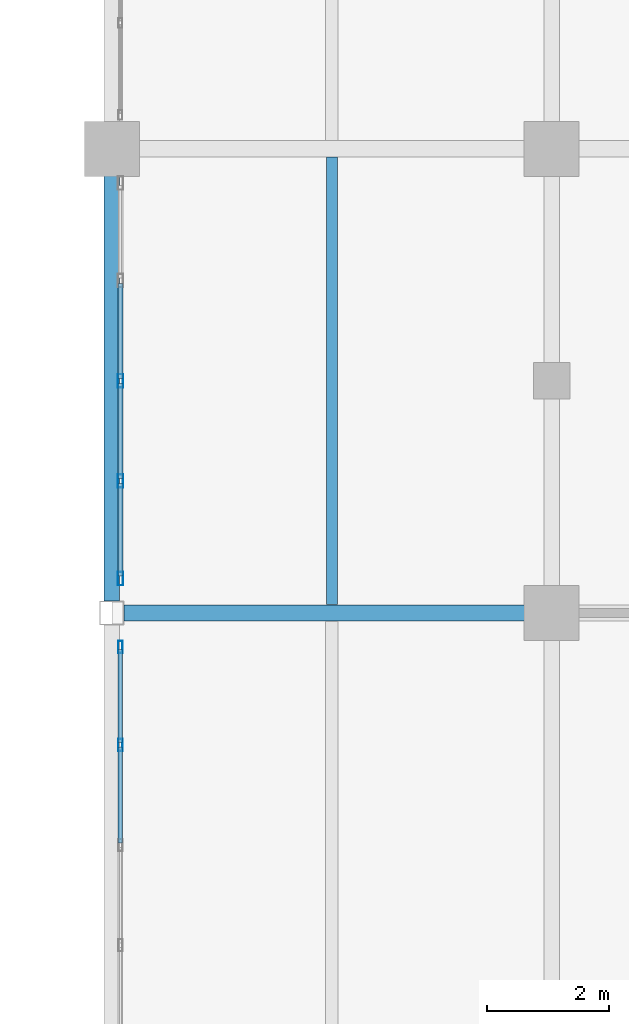
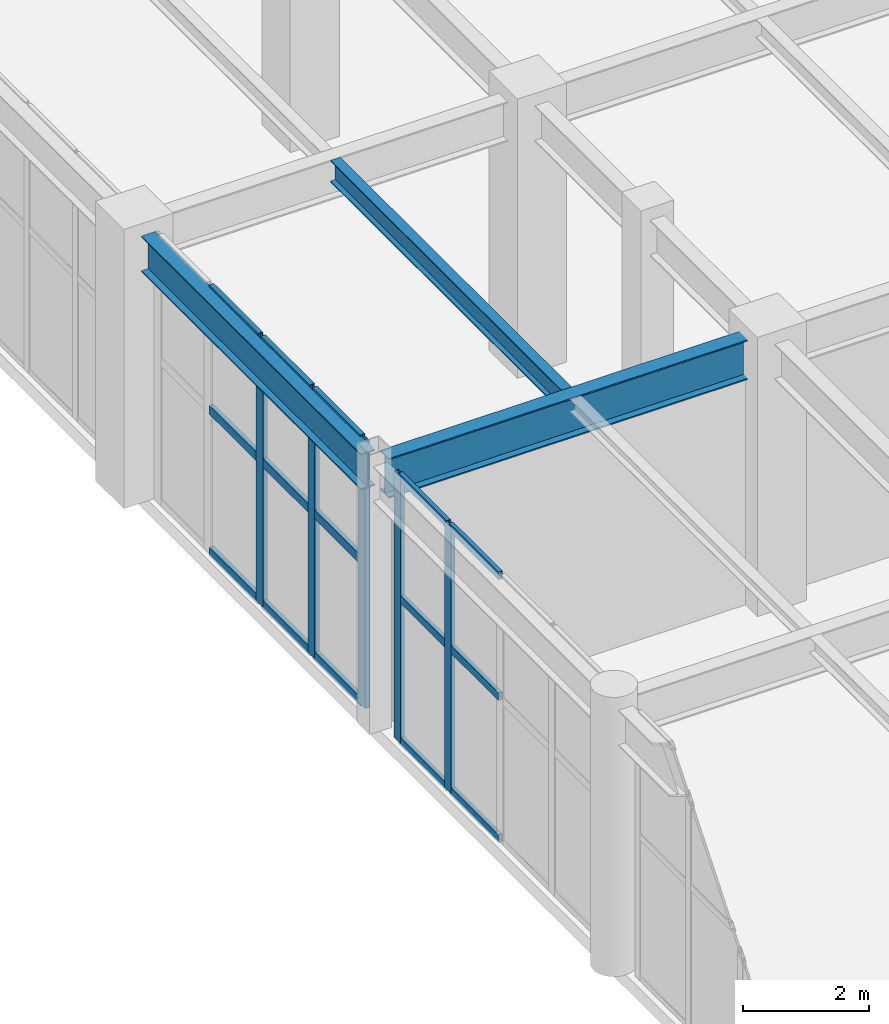
# One storey, part 46 of 139: 20 members, 3 beams, 2 elements without a shape of their own.
"""IFC4 building model written with IfcOpenShell, lengths in metres."""

from ifc_helpers import new_model, si_unit, direction, frame, origin, origin_2d, place, context, subcontext, project, spatial, hollow_rectangle, i_section, extrude, material, layer, layer_set, material_profile, profile_set, type_object, element, aggregate, save


model = new_model("IFC4")

# Units and contexts
model_context = context("Model", 3, precision=1e-05, world=origin(), true_north=direction((0.0, 1.0)))
body_context = subcontext(model_context, "Body", "Model", "MODEL_VIEW")
ifc_project = project(units=[si_unit("LENGTHUNIT", "METRE"), si_unit("AREAUNIT", "SQUARE_METRE"), si_unit("VOLUMEUNIT", "CUBIC_METRE"), si_unit("PLANEANGLEUNIT", "RADIAN"), si_unit("MASSUNIT", "GRAM", prefix="KILO")], contexts=[model_context])

# Site, building, storey
site_placement = place(None, origin())
site = spatial("IfcSite", under=ifc_project, at=site_placement, CompositionType="ELEMENT")
building_placement = place(site_placement, origin())
building = spatial("IfcBuilding", under=site, at=building_placement, Name="Xicomal Pleat Aquarium", CompositionType="ELEMENT")
storey_placement = place(building_placement, origin())
storey = spatial("IfcBuildingStorey", under=building, at=storey_placement, Name="L01", CompositionType="ELEMENT", Elevation=0.0)

# Beams
ifc_material_1 = material(Name="Structural steel A992 Gr 50", Category="steel")
ifc_material_profile_1 = material_profile(ifc_material_1, i_section(OverallWidth=0.180908203125, OverallDepth=0.4169921875, WebThickness=0.010986328125, FlangeThickness=0.018310546875, at=origin_2d()), Name="IR 410x85")
ifc_profile_set_1 = profile_set([ifc_material_profile_1], Name="Structural steel A992 Gr 50")
beam_type_1 = type_object("IfcBeamType", Name="BM-STL-IR410", PredefinedType="JOIST", material=ifc_profile_set_1)
beam_1_placement = place(storey_placement, frame((6.60009765625, 83.737060546875, 4.951416015625), z_axis=(0.0, 1.0, 0.0), x_axis=(-1.0, 0.0, 0.0)))
element("IfcBeam", 1, at=beam_1_placement, inside=storey, type_object=beam_type_1, Name="L01 framing beam FBJ-L01-01-M-1", PredefinedType="JOIST", context=body_context, shape_type="SweptSolid", body=[
    extrude(i_section(OverallWidth=0.180908203125, OverallDepth=0.4169921875, WebThickness=0.010986328125, FlangeThickness=0.018310546875, at=origin_2d()), origin(), (0.0, 0.0, 1.0), 7.325927734375),
])
ifc_material_2 = material(Name="Structural steel A992 Gr 50", Category="steel")
ifc_material_profile_2 = material_profile(ifc_material_2, i_section(OverallWidth=0.256103515625, OverallDepth=0.693115234375, WebThickness=0.014404296875, FlangeThickness=0.023681640625, at=origin_2d()), Name="IR 690x170")
ifc_profile_set_2 = profile_set([ifc_material_profile_2], Name="Structural steel A992 Gr 50")
beam_type_2 = type_object("IfcBeamType", Name="BM-STL-IR690", PredefinedType="BEAM", material=ifc_profile_set_2)
beam_2_placement = place(storey_placement, frame((3.0, 83.794921875, 4.8134765625), z_axis=(0.0, 1.0, 0.0), x_axis=(-1.0, 0.0, 0.0)))
element("IfcBeam", 2, at=beam_2_placement, inside=storey, type_object=beam_type_2, Name="L01 framing beam FGY-L01-01-M-N", PredefinedType="BEAM", context=body_context, shape_type="SweptSolid", body=[
    extrude(i_section(OverallWidth=0.256103515625, OverallDepth=0.693115234375, WebThickness=0.014404296875, FlangeThickness=0.023681640625, at=origin_2d()), origin(), (0.0, 0.0, 1.0), 6.9599609375),
])
ifc_material_3 = material(Name="Structural steel A992 Gr 50", Category="steel")
ifc_material_profile_3 = material_profile(ifc_material_3, i_section(OverallWidth=0.26806640625, OverallDepth=0.77001953125, WebThickness=0.015625, FlangeThickness=0.025390625, at=origin_2d()), Name="IR 760x196")
ifc_profile_set_3 = profile_set([ifc_material_profile_3], Name="Structural steel A992 Gr 50")
beam_type_3 = type_object("IfcBeamType", Name="BM-STL-IR760", PredefinedType="BEAM", material=ifc_profile_set_3)
beam_3_placement = place(storey_placement, frame((3.195068359375, 83.60009765625, 4.77490234375), z_axis=(1.0, 0.0, 0.0), x_axis=(0.0, 1.0, 0.0)))
element("IfcBeam", 3, at=beam_3_placement, inside=storey, type_object=beam_type_3, Name="L01 framing beam FGX-L01-01-02-M", PredefinedType="BEAM", context=body_context, shape_type="SweptSolid", body=[
    extrude(i_section(OverallWidth=0.26806640625, OverallDepth=0.77001953125, WebThickness=0.015625, FlangeThickness=0.025390625, at=origin_2d()), origin(), (0.0, 0.0, 1.0), 6.559814453125),
])

# Curtain wall, members
ifc_material_4 = material(Name="Bronze anodized aluminium 6063-T6", Category="aluminium")
ifc_layer_1 = layer(ifc_material_4, 0.159912109375)
ifc_layer_set_1 = layer_set([ifc_layer_1], Name="Bronze anodized aluminium 6063-T6")
curtain_wall_type_1 = type_object("IfcCurtainWallType", Name="CW-SYS-06", PredefinedType="NOTDEFINED", material=ifc_layer_set_1)
curtain_wall_1_placement = place(storey_placement, origin())
curtain_wall_1 = element("IfcCurtainWall", 4, at=curtain_wall_1_placement, inside=storey, type_object=curtain_wall_type_1, Name="L01 unitised curtain wall CW-L01-010", PredefinedType="NOTDEFINED")
ifc_material_5 = material(Name="Bronze anodized aluminium 6063-T6", Category="aluminium")
ifc_material_profile_4 = material_profile(ifc_material_5, hollow_rectangle(XDim=0.074951171875, YDim=0.199951171875, WallThickness=0.00439453125, at=origin_2d()), Name="ALU MULL 75x200")
ifc_profile_set_4 = profile_set([ifc_material_profile_4], Name="Bronze anodized aluminium 6063-T6")
member_type_1 = type_object("IfcMemberType", Name="CWM-75x200", PredefinedType="MULLION", material=ifc_profile_set_4)
member_1_placement = place(storey_placement, frame((3.139892578125, 81.43994140625, 0.0), z_axis=(0.0, 0.0, 1.0), x_axis=(-1.0, 0.0, 0.0)))
member_1 = element("IfcMember", 5, at=member_1_placement, type_object=member_type_1, Name="CW-06 mullion 4", PredefinedType="MULLION", context=body_context, shape_type="SweptSolid", body=[
    extrude(hollow_rectangle(XDim=0.074951171875, YDim=0.199951171875, WallThickness=0.00439453125, at=origin_2d()), origin(), (0.0, 0.0, 1.0), 5.159912109375),
])
member_2_placement = place(storey_placement, frame((3.139892578125, 83.04248046875, 0.0), z_axis=(0.0, 0.0, 1.0), x_axis=(-1.0, 0.0, 0.0)))
member_2 = element("IfcMember", 6, at=member_2_placement, type_object=member_type_1, Name="CW-06 mullion 5", PredefinedType="MULLION", context=body_context, shape_type="SweptSolid", body=[
    extrude(hollow_rectangle(XDim=0.074951171875, YDim=0.199951171875, WallThickness=0.00439453125, at=origin_2d()), origin(), (0.0, 0.0, 1.0), 5.159912109375),
])

ifc_material_6 = material(Name="Bronze anodized aluminium 6063-T6", Category="aluminium")
ifc_layer_2 = layer(ifc_material_6, 0.159912109375)
ifc_layer_set_2 = layer_set([ifc_layer_2], Name="Bronze anodized aluminium 6063-T6")
curtain_wall_type_2 = type_object("IfcCurtainWallType", Name="CW-SYS-11", PredefinedType="NOTDEFINED", material=ifc_layer_set_2)
curtain_wall_2_placement = place(storey_placement, origin())
curtain_wall_2 = element("IfcCurtainWall", 7, at=curtain_wall_2_placement, inside=storey, type_object=curtain_wall_type_2, Name="L01 unitised curtain wall CW-L01-011", PredefinedType="NOTDEFINED")
ifc_material_7 = material(Name="Bronze anodized aluminium 6063-T6", Category="aluminium")
ifc_material_profile_5 = material_profile(ifc_material_7, hollow_rectangle(XDim=0.0849609375, YDim=0.219970703125, WallThickness=0.0048828125, at=origin_2d()), Name="ALU MULL 85x220")
ifc_profile_set_5 = profile_set([ifc_material_profile_5], Name="Bronze anodized aluminium 6063-T6")
member_type_2 = type_object("IfcMemberType", Name="CWM-85x220", PredefinedType="MULLION", material=ifc_profile_set_5)
member_3_placement = place(storey_placement, frame((3.139892578125, 84.16259765625, 0.0), z_axis=(0.0, 0.0, 1.0), x_axis=(-1.0, 0.0, 0.0)))
member_3 = element("IfcMember", 8, at=member_3_placement, type_object=member_type_2, Name="CW-11 mullion 1", PredefinedType="MULLION", context=body_context, shape_type="SweptSolid", body=[
    extrude(hollow_rectangle(XDim=0.0849609375, YDim=0.219970703125, WallThickness=0.0048828125, at=origin_2d()), origin(), (0.0, 0.0, 1.0), 5.159912109375),
])
member_4_placement = place(storey_placement, frame((3.139892578125, 85.760009765625, 0.0), z_axis=(0.0, 0.0, 1.0), x_axis=(-1.0, 0.0, 0.0)))
member_4 = element("IfcMember", 9, at=member_4_placement, type_object=member_type_2, Name="CW-11 mullion 2", PredefinedType="MULLION", context=body_context, shape_type="SweptSolid", body=[
    extrude(hollow_rectangle(XDim=0.0849609375, YDim=0.219970703125, WallThickness=0.0048828125, at=origin_2d()), origin(), (0.0, 0.0, 1.0), 5.159912109375),
])
member_5_placement = place(storey_placement, frame((3.139892578125, 87.39990234375, 0.0), z_axis=(0.0, 0.0, 1.0), x_axis=(-1.0, 0.0, 0.0)))
member_5 = element("IfcMember", 10, at=member_5_placement, type_object=member_type_2, Name="CW-11 mullion 3", PredefinedType="MULLION", context=body_context, shape_type="SweptSolid", body=[
    extrude(hollow_rectangle(XDim=0.0849609375, YDim=0.219970703125, WallThickness=0.0048828125, at=origin_2d()), origin(), (0.0, 0.0, 1.0), 5.159912109375),
])

# Member
ifc_material_8 = material(Name="Bronze anodized aluminium 6063-T6", Category="aluminium")
ifc_material_profile_6 = material_profile(ifc_material_8, hollow_rectangle(XDim=0.074951171875, YDim=0.14990234375, WallThickness=0.00439453125, at=origin_2d()), Name="ALU TRAN 75x150")
ifc_profile_set_6 = profile_set([ifc_material_profile_6], Name="Bronze anodized aluminium 6063-T6")
member_type_3 = type_object("IfcMemberType", Name="CWT-75x150", PredefinedType="USERDEFINED", material=ifc_profile_set_6)
member_6_placement = place(storey_placement, frame((3.139892578125, 79.83740234375, 0.03759765625), z_axis=(0.0, 1.0, 0.0), x_axis=(-1.0, 0.0, 0.0)))
member_6 = element("IfcMember", 11, at=member_6_placement, type_object=member_type_3, Name="CW-06 transom 3.1", ObjectType="TRANSOM", PredefinedType="USERDEFINED", context=body_context, shape_type="SweptSolid", body=[
    extrude(hollow_rectangle(XDim=0.074951171875, YDim=0.14990234375, WallThickness=0.00439453125, at=origin_2d()), origin(), (0.0, 0.0, 1.0), 1.565185546875),
])

member_7_placement = place(storey_placement, frame((3.139892578125, 79.83740234375, 2.785888671875), z_axis=(0.0, 1.0, 0.0), x_axis=(-1.0, 0.0, 0.0)))
member_7 = element("IfcMember", 12, at=member_7_placement, type_object=member_type_3, Name="CW-06 transom 3.2", ObjectType="TRANSOM", PredefinedType="USERDEFINED", context=body_context, shape_type="SweptSolid", body=[
    extrude(hollow_rectangle(XDim=0.074951171875, YDim=0.14990234375, WallThickness=0.00439453125, at=origin_2d()), origin(), (0.0, 0.0, 1.0), 1.565185546875),
])

member_8_placement = place(storey_placement, frame((3.139892578125, 79.83740234375, 5.12255859375), z_axis=(0.0, 1.0, 0.0), x_axis=(-1.0, 0.0, 0.0)))
member_8 = element("IfcMember", 13, at=member_8_placement, type_object=member_type_3, Name="CW-06 transom 3.3", ObjectType="TRANSOM", PredefinedType="USERDEFINED", context=body_context, shape_type="SweptSolid", body=[
    extrude(hollow_rectangle(XDim=0.074951171875, YDim=0.14990234375, WallThickness=0.00439453125, at=origin_2d()), origin(), (0.0, 0.0, 1.0), 1.565185546875),
])

member_9_placement = place(storey_placement, frame((3.139892578125, 81.4775390625, 0.03759765625), z_axis=(0.0, 1.0, 0.0), x_axis=(-1.0, 0.0, 0.0)))
member_9 = element("IfcMember", 14, at=member_9_placement, type_object=member_type_3, Name="CW-06 transom 4.1", ObjectType="TRANSOM", PredefinedType="USERDEFINED", context=body_context, shape_type="SweptSolid", body=[
    extrude(hollow_rectangle(XDim=0.074951171875, YDim=0.14990234375, WallThickness=0.00439453125, at=origin_2d()), origin(), (0.0, 0.0, 1.0), 1.52734375),
])

member_10_placement = place(storey_placement, frame((3.139892578125, 81.4775390625, 2.785888671875), z_axis=(0.0, 1.0, 0.0), x_axis=(-1.0, 0.0, 0.0)))
member_10 = element("IfcMember", 15, at=member_10_placement, type_object=member_type_3, Name="CW-06 transom 4.2", ObjectType="TRANSOM", PredefinedType="USERDEFINED", context=body_context, shape_type="SweptSolid", body=[
    extrude(hollow_rectangle(XDim=0.074951171875, YDim=0.14990234375, WallThickness=0.00439453125, at=origin_2d()), origin(), (0.0, 0.0, 1.0), 1.52734375),
])

member_11_placement = place(storey_placement, frame((3.139892578125, 81.4775390625, 5.12255859375), z_axis=(0.0, 1.0, 0.0), x_axis=(-1.0, 0.0, 0.0)))
member_11 = element("IfcMember", 16, at=member_11_placement, type_object=member_type_3, Name="CW-06 transom 4.3", ObjectType="TRANSOM", PredefinedType="USERDEFINED", context=body_context, shape_type="SweptSolid", body=[
    extrude(hollow_rectangle(XDim=0.074951171875, YDim=0.14990234375, WallThickness=0.00439453125, at=origin_2d()), origin(), (0.0, 0.0, 1.0), 1.52734375),
])

aggregate(curtain_wall_1, [member_1, member_2, member_6, member_7, member_8, member_9, member_10, member_11])

ifc_material_9 = material(Name="Bronze anodized aluminium 6063-T6", Category="aluminium")
ifc_material_profile_7 = material_profile(ifc_material_9, hollow_rectangle(XDim=0.0849609375, YDim=0.169921875, WallThickness=0.0048828125, at=origin_2d()), Name="ALU TRAN 85x170")
ifc_profile_set_7 = profile_set([ifc_material_profile_7], Name="Bronze anodized aluminium 6063-T6")
member_type_4 = type_object("IfcMemberType", Name="CWT-85x170", PredefinedType="USERDEFINED", material=ifc_profile_set_7)
member_12_placement = place(storey_placement, frame((3.139892578125, 84.205078125, 0.04248046875), z_axis=(0.0, 1.0, 0.0), x_axis=(-1.0, 0.0, 0.0)))
member_12 = element("IfcMember", 17, at=member_12_placement, type_object=member_type_4, Name="CW-11 transom 1.1", ObjectType="TRANSOM", PredefinedType="USERDEFINED", context=body_context, shape_type="SweptSolid", body=[
    extrude(hollow_rectangle(XDim=0.0849609375, YDim=0.169921875, WallThickness=0.0048828125, at=origin_2d()), origin(), (0.0, 0.0, 1.0), 1.512451171875),
])

member_13_placement = place(storey_placement, frame((3.139892578125, 84.205078125, 2.785888671875), z_axis=(0.0, 1.0, 0.0), x_axis=(-1.0, 0.0, 0.0)))
member_13 = element("IfcMember", 18, at=member_13_placement, type_object=member_type_4, Name="CW-11 transom 1.2", ObjectType="TRANSOM", PredefinedType="USERDEFINED", context=body_context, shape_type="SweptSolid", body=[
    extrude(hollow_rectangle(XDim=0.0849609375, YDim=0.169921875, WallThickness=0.0048828125, at=origin_2d()), origin(), (0.0, 0.0, 1.0), 1.512451171875),
])

member_14_placement = place(storey_placement, frame((3.139892578125, 84.205078125, 5.117431640625), z_axis=(0.0, 1.0, 0.0), x_axis=(-1.0, 0.0, 0.0)))
member_14 = element("IfcMember", 19, at=member_14_placement, type_object=member_type_4, Name="CW-11 transom 1.3", ObjectType="TRANSOM", PredefinedType="USERDEFINED", context=body_context, shape_type="SweptSolid", body=[
    extrude(hollow_rectangle(XDim=0.0849609375, YDim=0.169921875, WallThickness=0.0048828125, at=origin_2d()), origin(), (0.0, 0.0, 1.0), 1.512451171875),
])

member_15_placement = place(storey_placement, frame((3.139892578125, 85.802490234375, 0.04248046875), z_axis=(0.0, 1.0, 0.0), x_axis=(-1.0, 0.0, 0.0)))
member_15 = element("IfcMember", 20, at=member_15_placement, type_object=member_type_4, Name="CW-11 transom 2.1", ObjectType="TRANSOM", PredefinedType="USERDEFINED", context=body_context, shape_type="SweptSolid", body=[
    extrude(hollow_rectangle(XDim=0.0849609375, YDim=0.169921875, WallThickness=0.0048828125, at=origin_2d()), origin(), (0.0, 0.0, 1.0), 1.554931640625),
])

member_16_placement = place(storey_placement, frame((3.139892578125, 85.802490234375, 2.785888671875), z_axis=(0.0, 1.0, 0.0), x_axis=(-1.0, 0.0, 0.0)))
member_16 = element("IfcMember", 21, at=member_16_placement, type_object=member_type_4, Name="CW-11 transom 2.2", ObjectType="TRANSOM", PredefinedType="USERDEFINED", context=body_context, shape_type="SweptSolid", body=[
    extrude(hollow_rectangle(XDim=0.0849609375, YDim=0.169921875, WallThickness=0.0048828125, at=origin_2d()), origin(), (0.0, 0.0, 1.0), 1.554931640625),
])

member_17_placement = place(storey_placement, frame((3.139892578125, 85.802490234375, 5.117431640625), z_axis=(0.0, 1.0, 0.0), x_axis=(-1.0, 0.0, 0.0)))
member_17 = element("IfcMember", 22, at=member_17_placement, type_object=member_type_4, Name="CW-11 transom 2.3", ObjectType="TRANSOM", PredefinedType="USERDEFINED", context=body_context, shape_type="SweptSolid", body=[
    extrude(hollow_rectangle(XDim=0.0849609375, YDim=0.169921875, WallThickness=0.0048828125, at=origin_2d()), origin(), (0.0, 0.0, 1.0), 1.554931640625),
])

member_18_placement = place(storey_placement, frame((3.139892578125, 87.4423828125, 0.04248046875), z_axis=(0.0, 1.0, 0.0), x_axis=(-1.0, 0.0, 0.0)))
member_18 = element("IfcMember", 23, at=member_18_placement, type_object=member_type_4, Name="CW-11 transom 3.1", ObjectType="TRANSOM", PredefinedType="USERDEFINED", context=body_context, shape_type="SweptSolid", body=[
    extrude(hollow_rectangle(XDim=0.0849609375, YDim=0.169921875, WallThickness=0.0048828125, at=origin_2d()), origin(), (0.0, 0.0, 1.0), 1.55517578125),
])

member_19_placement = place(storey_placement, frame((3.139892578125, 87.4423828125, 2.785888671875), z_axis=(0.0, 1.0, 0.0), x_axis=(-1.0, 0.0, 0.0)))
member_19 = element("IfcMember", 24, at=member_19_placement, type_object=member_type_4, Name="CW-11 transom 3.2", ObjectType="TRANSOM", PredefinedType="USERDEFINED", context=body_context, shape_type="SweptSolid", body=[
    extrude(hollow_rectangle(XDim=0.0849609375, YDim=0.169921875, WallThickness=0.0048828125, at=origin_2d()), origin(), (0.0, 0.0, 1.0), 1.55517578125),
])

member_20_placement = place(storey_placement, frame((3.139892578125, 87.4423828125, 5.117431640625), z_axis=(0.0, 1.0, 0.0), x_axis=(-1.0, 0.0, 0.0)))
member_20 = element("IfcMember", 25, at=member_20_placement, type_object=member_type_4, Name="CW-11 transom 3.3", ObjectType="TRANSOM", PredefinedType="USERDEFINED", context=body_context, shape_type="SweptSolid", body=[
    extrude(hollow_rectangle(XDim=0.0849609375, YDim=0.169921875, WallThickness=0.0048828125, at=origin_2d()), origin(), (0.0, 0.0, 1.0), 1.55517578125),
])

aggregate(curtain_wall_2, [member_3, member_4, member_5, member_12, member_13, member_14, member_15, member_16, member_17, member_18, member_19, member_20])

save(model, "model.ifc")
